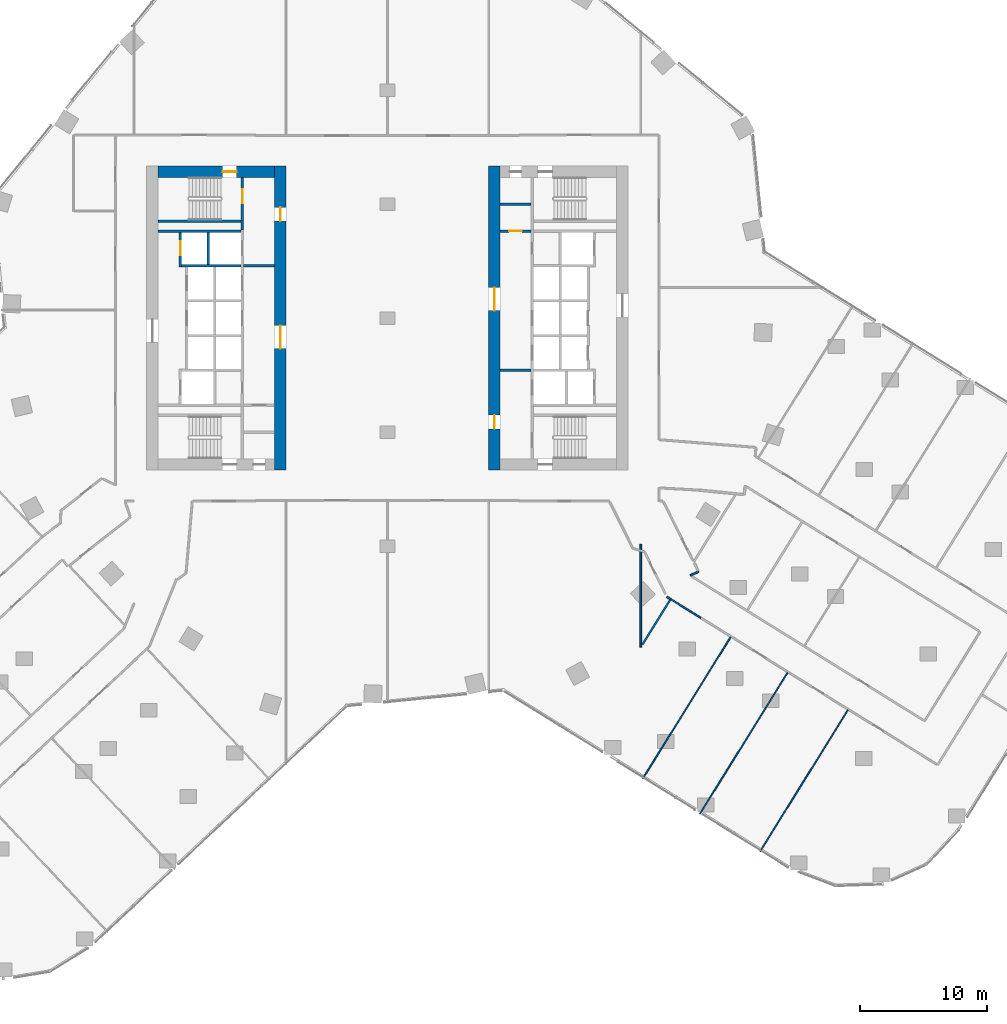
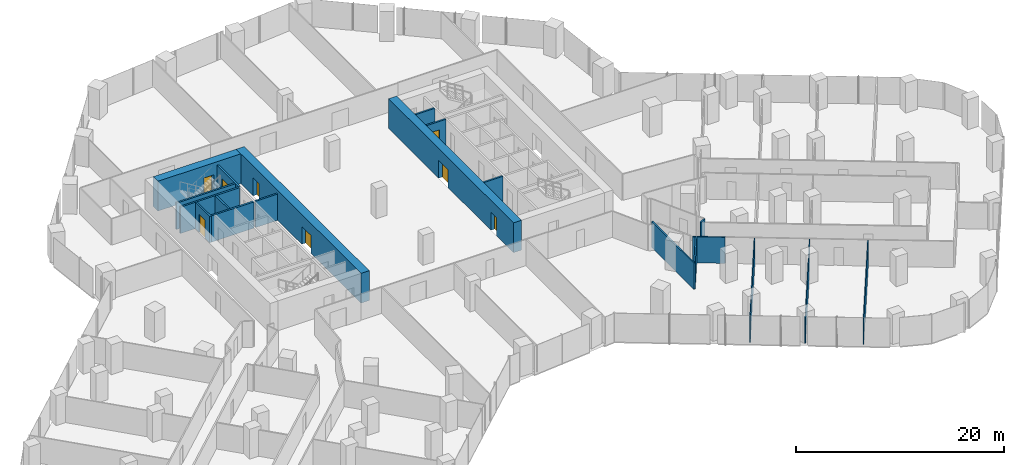
# One storey, part 29 of 34: 21 walls, 8 doors, 8 openings.
"""IFC4 building model written with IfcOpenShell, lengths in metres."""

import ifcopenshell
import ifcopenshell.guid

model = None  # the IFC model being written
_history = None  # IfcOwnerHistory: only IFC2X3 demands one
_inside = {}  # id of a spatial element -> (the spatial element, [elements in it])
_under = {}  # id of a project, library or spatial element -> (it, [spatial elements below it])
_declared = {}  # id of a project -> (the project, [libraries it declares])
_typed = {}  # id of a type object -> (the type object, [elements of that type])
_made_of = {}  # id of a material, layer set ... -> (it, [elements and type objects made of it])


def new_model(schema):
    """Start an empty IFC model of exactly this schema.

    Asked for "IFC4X3", IfcOpenShell would pick the latest addendum, in which some entities
    have other attributes; the version numbers below select the first issue.
    IFC2X3 requires an IfcOwnerHistory on every rooted entity: one is made here for all.
    """
    global model, _history
    if schema == "IFC4X3":
        model = ifcopenshell.file(schema_version=(4, 3, 0, 0))
    else:
        model = ifcopenshell.file(schema=schema)
    _inside.clear()
    _under.clear()
    _declared.clear()
    _typed.clear()
    _made_of.clear()
    _history = None
    if model.schema == "IFC2X3":
        org = make("IfcOrganization", Name="unknown")
        user = make(
            "IfcPersonAndOrganization",
            ThePerson=make("IfcPerson", FamilyName="unknown"),
            TheOrganization=org,
        )
        app = make(
            "IfcApplication",
            ApplicationDeveloper=org,
            Version="unknown",
            ApplicationFullName="unknown",
            ApplicationIdentifier="unknown",
        )
        _history = make(
            "IfcOwnerHistory",
            OwningUser=user,
            OwningApplication=app,
            ChangeAction="ADDED",
            CreationDate=0,
        )
    return model


def make(cls, **values):
    """One entity of the class cls with the attributes given. An attribute that is None is left unset."""
    return model.create_entity(
        cls, **{name: value for name, value in values.items() if value is not None}
    )


def rooted(cls, **values):
    """An entity with a GlobalId (a new one), such as an element, a storey or a relation."""
    return make(cls, GlobalId=ifcopenshell.guid.new(), OwnerHistory=_history, **values)


def si_unit(unit_type, name, prefix=None):
    """IfcSIUnit, for example si_unit("LENGTHUNIT", "METRE", prefix="MILLI")."""
    return make("IfcSIUnit", UnitType=unit_type, Prefix=prefix, Name=name)


def assignment(units):
    """IfcUnitAssignment: the units of a project."""
    return None if units is None else make("IfcUnitAssignment", Units=units)


def point(xyz):
    """IfcCartesianPoint."""
    return None if xyz is None else make("IfcCartesianPoint", Coordinates=xyz)


def direction(xyz):
    """IfcDirection."""
    return None if xyz is None else make("IfcDirection", DirectionRatios=xyz)


def frame(location, z_axis=None, x_axis=None):
    """IfcAxis2Placement3D, a coordinate frame: its origin and axes. An axis left out is left unset."""
    return make(
        "IfcAxis2Placement3D",
        Location=point(location),
        Axis=direction(z_axis),
        RefDirection=direction(x_axis),
    )


def frame_2d(location, x_axis=None):
    """IfcAxis2Placement2D, a coordinate frame in the plane: its origin and x axis."""
    return make(
        "IfcAxis2Placement2D", Location=point(location), RefDirection=direction(x_axis)
    )


def origin():
    """The frame at (0, 0, 0) with its axes left unset."""
    return frame((0.0, 0.0, 0.0))


def place(relative_to, where):
    """IfcLocalPlacement: puts the frame where relative to a parent placement (None: the world)."""
    return make(
        "IfcLocalPlacement", PlacementRelTo=relative_to, RelativePlacement=where
    )


def context(
    kind, dimensions, precision=None, world=None, true_north=None, identifier=None
):
    """IfcGeometricRepresentationContext, for example the 3D "Model" context."""
    return make(
        "IfcGeometricRepresentationContext",
        ContextIdentifier=identifier,
        ContextType=kind,
        CoordinateSpaceDimension=dimensions,
        Precision=precision,
        WorldCoordinateSystem=world,
        TrueNorth=true_north,
    )


def subcontext(parent, identifier, kind, view, scale=None):
    """IfcGeometricRepresentationSubContext, for example "Body" below "Model"."""
    return make(
        "IfcGeometricRepresentationSubContext",
        ContextIdentifier=identifier,
        ContextType=kind,
        ParentContext=parent,
        TargetScale=scale,
        TargetView=view,
    )


def project(units=None, contexts=None):
    """IfcProject with its units and contexts."""
    return rooted(
        "IfcProject",
        Name="project",
        RepresentationContexts=contexts,
        UnitsInContext=assignment(units),
    )


def spatial(cls, under=None, at=None, **own):
    """A site, building, storey or space (cls), placed at a placement, below another one or the project."""
    s = rooted(cls, ObjectPlacement=at, **own)
    if under is not None:
        _under.setdefault(under.id(), (under, []))[1].append(s)
    return s


def profile(cls, at=None, kind="AREA", **sizes):
    """A parametric profile (cls). Its sizes go by their IFC names, for example OverallWidth=200.0."""
    return make(cls, ProfileType=kind, Position=at, **sizes)


def rectangle(**sizes):
    """IfcRectangleProfileDef."""
    return profile("IfcRectangleProfileDef", **sizes)


def extrude(swept, where, along, depth):
    """IfcExtrudedAreaSolid: the profile swept, set in the frame where, extruded along a direction by depth."""
    return make(
        "IfcExtrudedAreaSolid",
        SweptArea=swept,
        Position=where,
        ExtrudedDirection=direction(along),
        Depth=depth,
    )


def shape(context_of_items, identifier, shape_type, items):
    """IfcShapeRepresentation: the items that make up one representation, for example the "Body"."""
    return make(
        "IfcShapeRepresentation",
        ContextOfItems=context_of_items,
        RepresentationIdentifier=identifier,
        RepresentationType=shape_type,
        Items=items,
    )


def material(Name=None, Category=None):
    """IfcMaterial."""
    return make("IfcMaterial", Name=Name, Category=Category)


def layer(
    of_material, thickness, ventilated=None, Name=None, Category=None, Priority=None
):
    """IfcMaterialLayer: one layer of a wall or slab, of a material (None: an air gap)."""
    return make(
        "IfcMaterialLayer",
        Material=of_material,
        LayerThickness=thickness,
        IsVentilated=ventilated,
        Name=Name,
        Category=Category,
        Priority=Priority,
    )


def layer_set(layers, Name=None):
    """IfcMaterialLayerSet."""
    return make("IfcMaterialLayerSet", MaterialLayers=layers, LayerSetName=Name)


def made_of(thing, what):
    """Note that an element or type object is made of a material, layer set ...; save() writes the relation."""
    if what is not None:
        _made_of.setdefault(what.id(), (what, []))[1].append(thing)
    return thing


def type_object(cls, material=None, **own):
    """A type object (cls), such as IfcWallType, which elements share."""
    return made_of(rooted(cls, **own), material)


def element(
    cls,
    number,
    at=None,
    inside=None,
    cuts=None,
    type_object=None,
    material=None,
    context=None,
    identifier="Body",
    shape_type=None,
    held_by="IfcProductDefinitionShape",
    body=None,
    shapes=None,
    **own,
):
    """One element of the class cls, such as IfcWall. Its Tag is "e" and its number.

    at: its placement. inside: the storey or other place that contains it. cuts: it is an
    opening in that element (IfcRelVoidsElement). A single representation is given by context,
    identifier, shape_type and body (its items); several are given by shapes. held_by: the class
    of the entity that holds the representations. save() writes the other relations.
    """
    e = rooted(cls, Tag="e%d" % number, ObjectPlacement=at, **own)
    if body is not None:
        shapes = [shape(context, identifier, shape_type, body)]
    if shapes is not None:
        e.Representation = make(held_by, Representations=shapes)
    if inside is not None:
        _inside.setdefault(inside.id(), (inside, []))[1].append(e)
    if cuts is not None:
        rooted(
            "IfcRelVoidsElement", RelatingBuildingElement=cuts, RelatedOpeningElement=e
        )
    if type_object is not None:
        _typed.setdefault(type_object.id(), (type_object, []))[1].append(e)
    return made_of(e, material)


def fill(opening, filler):
    """IfcRelFillsElement: the door or window that sits in an opening."""
    return rooted(
        "IfcRelFillsElement",
        RelatingOpeningElement=opening,
        RelatedBuildingElement=filler,
    )


def aggregate(whole, parts):
    """IfcRelAggregates: a whole, such as a stair, and the parts it consists of."""
    return rooted("IfcRelAggregates", RelatingObject=whole, RelatedObjects=parts)


def save(model, path):
    """Write the relations noted so far, then the file.

    IfcRelAggregates (storeys below a building ...), IfcRelContainedInSpatialStructure (elements
    in a storey), IfcRelDefinesByType, IfcRelAssociatesMaterial and IfcRelDeclares: one each for
    every whole, place, type object, material and project.
    """
    for whole, parts in _under.values():
        aggregate(whole, parts)
    for where, things in _inside.values():
        rooted(
            "IfcRelContainedInSpatialStructure",
            RelatedElements=things,
            RelatingStructure=where,
        )
    for kind, things in _typed.values():
        rooted("IfcRelDefinesByType", RelatedObjects=things, RelatingType=kind)
    for what, things in _made_of.values():
        rooted("IfcRelAssociatesMaterial", RelatedObjects=things, RelatingMaterial=what)
    for by, libraries in _declared.values():
        rooted("IfcRelDeclares", RelatingContext=by, RelatedDefinitions=libraries)
    model.write(path)


model = new_model("IFC4")

# Units and contexts
model_context = context("Model", 3, precision=1e-05, world=origin(), true_north=direction((0.0, 1.0)))
body_context = subcontext(model_context, "Body", "Model", "MODEL_VIEW")
ifc_project = project(units=[si_unit("LENGTHUNIT", "METRE"), si_unit("AREAUNIT", "SQUARE_METRE"), si_unit("VOLUMEUNIT", "CUBIC_METRE"), si_unit("PLANEANGLEUNIT", "RADIAN"), si_unit("MASSUNIT", "GRAM", prefix="KILO")], contexts=[model_context])

# Site, building, storey
site_placement = place(None, origin())
site = spatial("IfcSite", under=ifc_project, at=site_placement, CompositionType="ELEMENT")
building_placement = place(site_placement, origin())
building = spatial("IfcBuilding", under=site, at=building_placement, Name="Orlundy Tower", CompositionType="ELEMENT")
storey_placement = place(building_placement, frame((0.0, 0.0, 47.800048828125)))
storey = spatial("IfcBuildingStorey", under=building, at=storey_placement, Name="L10", CompositionType="ELEMENT", Elevation=47.800048828125)

# Wall, opening, door
ifc_material_1 = material(Name="Concrete C80/95", Category="concrete")
ifc_layer_1 = layer(ifc_material_1, 0.89990234375)
ifc_layer_set_1 = layer_set([ifc_layer_1], Name="CORE WALL 900 C80/95")
wall_type_1 = type_object("IfcWallType", Name="CORE WALL 900 C80/95", PredefinedType="SHEAR", material=ifc_layer_set_1)
wall_1_placement = place(storey_placement, frame((-18.10009765625, 11.550048828125, 0.0), z_axis=(0.0, 0.0, 1.0), x_axis=(1.0, 0.0, 0.0)))
wall_1 = element("IfcWall", 1, at=wall_1_placement, inside=storey, type_object=wall_type_1, Name="Core wall W-N L10", PredefinedType="SHEAR", context=body_context, shape_type="SweptSolid", body=[
    extrude(rectangle(XDim=9.2001953125, YDim=0.89990234375, at=frame_2d((4.60009765625, 0.0))), origin(), (0.0, 0.0, 1.0), 3.5),
])
opening_1_placement = place(wall_1_placement, frame((5.10009765625, 0.0, 0.0)))
opening_1 = element("IfcOpeningElement", 2, at=opening_1_placement, cuts=wall_1, Name="Opening 09012", PredefinedType="OPENING", context=body_context, shape_type="SweptSolid", body=[
    extrude(rectangle(XDim=1.10009765625, YDim=2.10009765625, at=frame_2d((0.550048828125, 1.050048828125))), frame((0.0, 0.4599609375, 0.0), z_axis=(0.0, -1.0, 0.0), x_axis=(1.0, 0.0, 0.0)), (0.0, 0.0, 1.0), 0.919921875),
])
ifc_material_2 = material(Name="Steel door set", Category="steel")
door_type_1 = type_object("IfcDoorType", Name="Stair Door 1100x2100", OperationType="SINGLE_SWING_LEFT", PredefinedType="DOOR", material=ifc_material_2)
door_1_placement = place(opening_1_placement, origin())
door_1 = element("IfcDoor", 3, at=door_1_placement, inside=storey, type_object=door_type_1, Name="Stair door 09012", OperationType="SINGLE_SWING_RIGHT", OverallHeight=2.10009765625, OverallWidth=1.10009765625, PredefinedType="DOOR", context=body_context, shape_type="SweptSolid", body=[
    extrude(rectangle(XDim=1.10009765625, YDim=2.10009765625, at=frame_2d((0.550048828125, 1.050048828125))), frame((0.0, 0.02490234375, 0.0), z_axis=(0.0, -1.0, 0.0), x_axis=(1.0, 0.0, 0.0)), (0.0, 0.0, 1.0), 0.050048828125),
])
fill(opening_1, door_1)

# Wall, openings, doors
wall_2_placement = place(storey_placement, frame((-8.449951171875, -12.0, 0.0), z_axis=(0.0, 0.0, 1.0), x_axis=(0.0, 1.0, 0.0)))
wall_2 = element("IfcWall", 4, at=wall_2_placement, inside=storey, type_object=wall_type_1, Name="Core wall W-E L10", PredefinedType="SHEAR", context=body_context, shape_type="SweptSolid", body=[
    extrude(rectangle(XDim=24.0, YDim=0.89990234375, at=frame_2d((12.0, 0.0))), origin(), (0.0, 0.0, 1.0), 3.5),
])
opening_2_placement = place(wall_2_placement, frame((9.60009765625, 0.0, 0.0)))
opening_2 = element("IfcOpeningElement", 5, at=opening_2_placement, cuts=wall_2, Name="Opening 09009", PredefinedType="OPENING", context=body_context, shape_type="SweptSolid", body=[
    extrude(rectangle(XDim=1.800048828125, YDim=2.10009765625, at=frame_2d((0.89990234375, 1.050048828125))), frame((0.0, 0.4599609375, 0.0), z_axis=(0.0, -1.0, 0.0), x_axis=(1.0, 0.0, 0.0)), (0.0, 0.0, 1.0), 0.919921875),
])
opening_3_placement = place(wall_2_placement, frame((19.64990234375, 0.0, 0.0)))
opening_3 = element("IfcOpeningElement", 6, at=opening_3_placement, cuts=wall_2, Name="Opening 09011", PredefinedType="OPENING", context=body_context, shape_type="SweptSolid", body=[
    extrude(rectangle(XDim=1.10009765625, YDim=2.10009765625, at=frame_2d((0.550048828125, 1.050048828125))), frame((0.0, 0.4599609375, 0.0), z_axis=(0.0, -1.0, 0.0), x_axis=(1.0, 0.0, 0.0)), (0.0, 0.0, 1.0), 0.919921875),
])
ifc_material_3 = material(Name="Steel door set", Category="steel")
door_type_2 = type_object("IfcDoorType", Name="Fire-fighting Lobby Door 1100x2100", OperationType="SINGLE_SWING_LEFT", PredefinedType="DOOR", material=ifc_material_3)
door_2_placement = place(opening_3_placement, origin())
door_2 = element("IfcDoor", 7, at=door_2_placement, inside=storey, type_object=door_type_2, Name="Fire-fighting lobby door 09011", OperationType="SINGLE_SWING_RIGHT", OverallHeight=2.10009765625, OverallWidth=1.10009765625, PredefinedType="DOOR", context=body_context, shape_type="SweptSolid", body=[
    extrude(rectangle(XDim=1.10009765625, YDim=2.10009765625, at=frame_2d((0.550048828125, 1.050048828125))), frame((0.0, 0.02490234375, 0.0), z_axis=(0.0, -1.0, 0.0), x_axis=(1.0, 0.0, 0.0)), (0.0, 0.0, 1.0), 0.050048828125),
])
fill(opening_3, door_2)
ifc_material_4 = material(Name="Timber door set", Category="wood")
door_type_3 = type_object("IfcDoorType", Name="Lobby Door 1800x2100", OperationType="DOUBLE_DOOR_DOUBLE_SWING", PredefinedType="DOOR", material=ifc_material_4)
door_3_placement = place(opening_2_placement, origin())
door_3 = element("IfcDoor", 8, at=door_3_placement, inside=storey, type_object=door_type_3, Name="Lift lobby door 09009", OperationType="SINGLE_SWING_LEFT", OverallHeight=2.10009765625, OverallWidth=1.800048828125, PredefinedType="DOOR", context=body_context, shape_type="SweptSolid", body=[
    extrude(rectangle(XDim=1.800048828125, YDim=2.10009765625, at=frame_2d((0.89990234375, 1.050048828125))), frame((0.0, 0.02490234375, 0.0), z_axis=(0.0, -1.0, 0.0), x_axis=(1.0, 0.0, 0.0)), (0.0, 0.0, 1.0), 0.050048828125),
])
fill(opening_2, door_3)

wall_3_placement = place(storey_placement, frame((8.449951171875, -12.0, 0.0), z_axis=(0.0, 0.0, 1.0), x_axis=(0.0, 1.0, 0.0)))
wall_3 = element("IfcWall", 9, at=wall_3_placement, inside=storey, type_object=wall_type_1, Name="Core wall E-W L10", PredefinedType="SHEAR", context=body_context, shape_type="SweptSolid", body=[
    extrude(rectangle(XDim=24.0, YDim=0.89990234375, at=frame_2d((12.0, 0.0))), origin(), (0.0, 0.0, 1.0), 3.5),
])
opening_4_placement = place(wall_3_placement, frame((12.60009765625, 0.0, 0.0)))
opening_4 = element("IfcOpeningElement", 10, at=opening_4_placement, cuts=wall_3, Name="Opening 09058", PredefinedType="OPENING", context=body_context, shape_type="SweptSolid", body=[
    extrude(rectangle(XDim=1.800048828125, YDim=2.10009765625, at=frame_2d((0.89990234375, 1.050048828125))), frame((0.0, 0.4599609375, 0.0), z_axis=(0.0, -1.0, 0.0), x_axis=(1.0, 0.0, 0.0)), (0.0, 0.0, 1.0), 0.919921875),
])
opening_5_placement = place(wall_3_placement, frame((3.25, 0.0, 0.0)))
opening_5 = element("IfcOpeningElement", 11, at=opening_5_placement, cuts=wall_3, Name="Opening 09060", PredefinedType="OPENING", context=body_context, shape_type="SweptSolid", body=[
    extrude(rectangle(XDim=1.10009765625, YDim=2.10009765625, at=frame_2d((0.550048828125, 1.050048828125))), frame((0.0, 0.4599609375, 0.0), z_axis=(0.0, -1.0, 0.0), x_axis=(1.0, 0.0, 0.0)), (0.0, 0.0, 1.0), 0.919921875),
])
door_4_placement = place(opening_5_placement, origin())
door_4 = element("IfcDoor", 12, at=door_4_placement, inside=storey, type_object=door_type_2, Name="Fire-fighting lobby door 09060", OperationType="SINGLE_SWING_LEFT", OverallHeight=2.10009765625, OverallWidth=1.10009765625, PredefinedType="DOOR", context=body_context, shape_type="SweptSolid", body=[
    extrude(rectangle(XDim=1.10009765625, YDim=2.10009765625, at=frame_2d((0.550048828125, 1.050048828125))), frame((0.0, 0.02490234375, 0.0), z_axis=(0.0, -1.0, 0.0), x_axis=(1.0, 0.0, 0.0)), (0.0, 0.0, 1.0), 0.050048828125),
])
fill(opening_5, door_4)
door_5_placement = place(opening_4_placement, origin())
door_5 = element("IfcDoor", 13, at=door_5_placement, inside=storey, type_object=door_type_3, Name="Lift lobby door 09058", OperationType="SINGLE_SWING_RIGHT", OverallHeight=2.10009765625, OverallWidth=1.800048828125, PredefinedType="DOOR", context=body_context, shape_type="SweptSolid", body=[
    extrude(rectangle(XDim=1.800048828125, YDim=2.10009765625, at=frame_2d((0.89990234375, 1.050048828125))), frame((0.0, 0.02490234375, 0.0), z_axis=(0.0, -1.0, 0.0), x_axis=(1.0, 0.0, 0.0)), (0.0, 0.0, 1.0), 0.050048828125),
])
fill(opening_4, door_5)

# Walls
ifc_material_5 = material(Name="Gypsum board partition")
ifc_layer_2 = layer(ifc_material_5, 0.10009765625)
ifc_layer_set_2 = layer_set([ifc_layer_2], Name="Floor partition 100")
wall_type_2 = type_object("IfcWallType", Name="Floor partition 100", PredefinedType="PARTITIONING", material=ifc_layer_set_2)
wall_4_placement = place(storey_placement, frame((29.4189453125, -42.09912109375, 0.0), z_axis=(0.0, 0.0, 1.0), x_axis=(0.527437340002, 0.849593933813, 0.0)))
element("IfcWall", 14, at=wall_4_placement, inside=storey, type_object=wall_type_2, Name="wall-int-L10-058", PredefinedType="PARTITIONING", context=body_context, shape_type="SweptSolid", body=[
    extrude(rectangle(XDim=13.136962890625, YDim=0.10009765625, at=frame_2d((6.568359375, 0.0))), origin(), (0.0, 0.0, 1.0), 3.06005859375),
])
wall_5_placement = place(storey_placement, frame((24.662109375, -39.14599609375, 0.0), z_axis=(0.0, 0.0, 1.0), x_axis=(0.527445667816, 0.849588763757, 0.0)))
element("IfcWall", 15, at=wall_5_placement, inside=storey, type_object=wall_type_2, Name="wall-int-L10-060", PredefinedType="PARTITIONING", context=body_context, shape_type="SweptSolid", body=[
    extrude(rectangle(XDim=13.13671875, YDim=0.10009765625, at=frame_2d((6.568359375, 0.0))), origin(), (0.0, 0.0, 1.0), 3.06005859375),
])
wall_6_placement = place(storey_placement, frame((20.158935546875, -36.35009765625, 0.0), z_axis=(0.0, 0.0, 1.0), x_axis=(0.527437340002, 0.849593933813, 0.0)))
element("IfcWall", 16, at=wall_6_placement, inside=storey, type_object=wall_type_2, Name="wall-int-L10-063", PredefinedType="PARTITIONING", context=body_context, shape_type="SweptSolid", body=[
    extrude(rectangle(XDim=13.136962890625, YDim=0.10009765625, at=frame_2d((6.568359375, 0.0))), origin(), (0.0, 0.0, 1.0), 3.06005859375),
])
ifc_material_6 = material(Name="Gypsum board partition, double layer")
ifc_layer_3 = layer(ifc_material_6, 0.125)
ifc_layer_set_3 = layer_set([ifc_layer_3], Name="Floor partition 125")
wall_type_3 = type_object("IfcWallType", Name="Floor partition 125", PredefinedType="PARTITIONING", material=ifc_layer_set_3)
wall_7_placement = place(storey_placement, frame((22.424072265625, -22.218994140625, 0.0), z_axis=(0.0, 0.0, 1.0), x_axis=(0.849454635984, -0.527661654287, 0.0)))
element("IfcWall", 17, at=wall_7_placement, inside=storey, type_object=wall_type_3, Name="wall-int-L10-019", PredefinedType="PARTITIONING", context=body_context, shape_type="SweptSolid", body=[
    extrude(rectangle(XDim=2.72509765625, YDim=0.125, at=frame_2d((1.362548828125, 0.0))), origin(), (0.0, 0.0, 1.0), 3.06005859375),
])
ifc_material_7 = material(Name="Blockwork shaft wall", Category="masonry")
ifc_layer_4 = layer(ifc_material_7, 0.14990234375)
ifc_layer_set_4 = layer_set([ifc_layer_4], Name="Floor shaft wall 150")
wall_type_4 = type_object("IfcWallType", Name="Floor shaft wall 150", PredefinedType="PARTITIONING", material=ifc_layer_set_4)
wall_8_placement = place(storey_placement, frame((22.069091796875, -22.0, 0.0), z_axis=(0.0, 0.0, 1.0), x_axis=(0.850050687586, -0.526700890956, 0.0)))
element("IfcWall", 18, at=wall_8_placement, inside=storey, type_object=wall_type_4, Name="wall-int-L10-020", PredefinedType="PARTITIONING", context=body_context, shape_type="SweptSolid", body=[
    extrude(rectangle(XDim=0.33984375, YDim=0.14990234375, at=frame_2d((0.169921875, 0.0))), origin(), (0.0, 0.0, 1.0), 3.06005859375),
])
wall_9_placement = place(storey_placement, frame((23.9140625, -20.319091796875, 0.0), z_axis=(0.0, 0.0, 1.0), x_axis=(0.894967710853, 0.4461309186, 0.0)))
element("IfcWall", 19, at=wall_9_placement, inside=storey, type_object=wall_type_4, Name="wall-int-L10-044", PredefinedType="PARTITIONING", context=body_context, shape_type="SweptSolid", body=[
    extrude(rectangle(XDim=0.721923828125, YDim=0.14990234375, at=frame_2d((0.36083984375, 0.0))), origin(), (0.0, 0.0, 1.0), 3.06005859375),
])
wall_10_placement = place(storey_placement, frame((20.132080078125, -25.764892578125, 0.0), z_axis=(0.0, 0.0, 1.0), x_axis=(0.527375821056, 0.849632122372, 0.0)))
element("IfcWall", 20, at=wall_10_placement, inside=storey, type_object=wall_type_4, Name="wall-int-L10-066", PredefinedType="PARTITIONING", context=body_context, shape_type="SweptSolid", body=[
    extrude(rectangle(XDim=4.220458984375, YDim=0.14990234375, at=frame_2d((2.1103515625, 0.0))), origin(), (0.0, 0.0, 1.0), 3.06005859375),
])
wall_11_placement = place(storey_placement, frame((20.0, -25.97705078125, 0.0), z_axis=(0.0, 0.0, 1.0), x_axis=(0.0, 1.0, 0.0)))
element("IfcWall", 21, at=wall_11_placement, inside=storey, type_object=wall_type_4, Name="wall-int-L10-076", PredefinedType="PARTITIONING", context=body_context, shape_type="SweptSolid", body=[
    extrude(rectangle(XDim=8.112060546875, YDim=0.14990234375, at=frame_2d((4.05615234375, 0.0))), origin(), (0.0, 0.0, 1.0), 3.06005859375),
])

# Wall, opening, door
ifc_material_8 = material(Name="Concrete C40/50", Category="concrete")
ifc_layer_5 = layer(ifc_material_8, 0.199951171875)
ifc_layer_set_5 = layer_set([ifc_layer_5], Name="Load-bearing Shaft Wall 200")
wall_type_5 = type_object("IfcWallType", Name="Load-bearing Shaft Wall 200", PredefinedType="SOLIDWALL", material=ifc_layer_set_5)
wall_12_placement = place(storey_placement, frame((-11.43994140625, 6.97509765625, 0.0), z_axis=(0.0, 0.0, 1.0), x_axis=(0.0, 1.0, 0.0)))
wall_12 = element("IfcWall", 22, at=wall_12_placement, inside=storey, type_object=wall_type_5, Name="Shaft wall W09-stair-end-n", PredefinedType="SOLIDWALL", context=body_context, shape_type="SweptSolid", body=[
    extrude(rectangle(XDim=4.125, YDim=0.199951171875, at=frame_2d((2.0625, 0.0))), origin(), (0.0, 0.0, 1.0), 3.079833984375),
])
opening_6_placement = place(wall_12_placement, frame((2.10009765625, 0.0, 0.0)))
opening_6 = element("IfcOpeningElement", 23, at=opening_6_placement, cuts=wall_12, Name="Opening 09014", PredefinedType="OPENING", context=body_context, shape_type="SweptSolid", body=[
    extrude(rectangle(XDim=1.10009765625, YDim=2.10009765625, at=frame_2d((0.550048828125, 1.050048828125))), frame((0.0, 0.110107421875, 0.0), z_axis=(0.0, -1.0, 0.0), x_axis=(1.0, 0.0, 0.0)), (0.0, 0.0, 1.0), 0.22021484375),
])
door_6_placement = place(opening_6_placement, origin())
door_6 = element("IfcDoor", 24, at=door_6_placement, inside=storey, type_object=door_type_2, Name="Fire-fighting lobby to stair door 09014", OperationType="SINGLE_SWING_RIGHT", OverallHeight=2.10009765625, OverallWidth=1.10009765625, PredefinedType="DOOR", context=body_context, shape_type="SweptSolid", body=[
    extrude(rectangle(XDim=1.10009765625, YDim=2.10009765625, at=frame_2d((0.550048828125, 1.050048828125))), frame((0.0, 0.02490234375, 0.0), z_axis=(0.0, -1.0, 0.0), x_axis=(1.0, 0.0, 0.0)), (0.0, 0.0, 1.0), 0.050048828125),
])
fill(opening_6, door_6)

# Walls
wall_13_placement = place(storey_placement, frame((-11.5400390625, 7.64990234375, 0.0), z_axis=(0.0, 0.0, 1.0), x_axis=(-1.0, 0.0, 0.0)))
element("IfcWall", 25, at=wall_13_placement, inside=storey, type_object=wall_type_5, Name="Shaft wall W09-stair-side-n", PredefinedType="SOLIDWALL", context=body_context, shape_type="SweptSolid", body=[
    extrude(rectangle(XDim=6.56005859375, YDim=0.199951171875, at=frame_2d((3.280029296875, 0.0))), origin(), (0.0, 0.0, 1.0), 3.079833984375),
])
ifc_material_9 = material(Name="Gypsum board partition on steel studs", Category="steel")
ifc_layer_6 = layer(ifc_material_9, 0.199951171875)
ifc_layer_set_6 = layer_set([ifc_layer_6], Name="Partition 200")
wall_type_6 = type_object("IfcWallType", Name="Partition 200", PredefinedType="PARTITIONING", material=ifc_layer_set_6)
for number, where, z_axis, x_axis, name in (
    (26, (-8.89990234375, 4.125, 0.0), (0.0, 0.0, 1.0), (-1.0, 0.0, 0.0), "Partition wall W09-lobby-n"),
    (27, (8.89990234375, -4.125, 0.0), (0.0, 0.0, 1.0), (1.0, 0.0, 0.0), "Partition wall E09-lobby-n"),
):
    element("IfcWall", number, at=place(storey_placement, frame(where, z_axis=z_axis, x_axis=x_axis)), inside=storey, type_object=wall_type_6, Name=name, PredefinedType="PARTITIONING", context=body_context, shape_type="SweptSolid", body=[
        extrude(rectangle(XDim=2.440185546875, YDim=0.199951171875, at=frame_2d((1.22021484375, 0.0))), origin(), (0.0, 0.0, 1.0), 3.079833984375),
    ])

# Wall, opening, door
wall_14_placement = place(storey_placement, frame((8.89990234375, 6.875, 0.0), z_axis=(0.0, 0.0, 1.0), x_axis=(1.0, 0.0, 0.0)))
wall_14 = element("IfcWall", 28, at=wall_14_placement, inside=storey, type_object=wall_type_6, Name="Partition wall E09-end-s", PredefinedType="PARTITIONING", context=body_context, shape_type="SweptSolid", body=[
    extrude(rectangle(XDim=2.440185546875, YDim=0.199951171875, at=frame_2d((1.22021484375, 0.0))), origin(), (0.0, 0.0, 1.0), 3.079833984375),
])
opening_7_placement = place(wall_14_placement, frame((0.719970703125, 0.0, 0.0)))
opening_7 = element("IfcOpeningElement", 29, at=opening_7_placement, cuts=wall_14, Name="Opening 09065", PredefinedType="OPENING", context=body_context, shape_type="SweptSolid", body=[
    extrude(rectangle(XDim=1.0, YDim=2.10009765625, at=frame_2d((0.5, 1.050048828125))), frame((0.0, 0.110107421875, 0.0), z_axis=(0.0, -1.0, 0.0), x_axis=(1.0, 0.0, 0.0)), (0.0, 0.0, 1.0), 0.22021484375),
])
ifc_material_10 = material(Name="Timber door set", Category="wood")
door_type_4 = type_object("IfcDoorType", Name="Accessible Door 1000x2100", OperationType="SINGLE_SWING_LEFT", PredefinedType="DOOR", material=ifc_material_10)
door_7_placement = place(opening_7_placement, origin())
door_7 = element("IfcDoor", 30, at=door_7_placement, inside=storey, type_object=door_type_4, Name="Accessible WC door 09065", OperationType="SINGLE_SWING_RIGHT", OverallHeight=2.10009765625, OverallWidth=1.0, PredefinedType="DOOR", context=body_context, shape_type="SweptSolid", body=[
    extrude(rectangle(XDim=1.0, YDim=2.10009765625, at=frame_2d((0.5, 1.050048828125))), frame((0.0, 0.02490234375, 0.0), z_axis=(0.0, -1.0, 0.0), x_axis=(1.0, 0.0, 0.0)), (0.0, 0.0, 1.0), 0.050048828125),
])
fill(opening_7, door_7)

# Walls
wall_15_placement = place(storey_placement, frame((8.89990234375, 9.0, 0.0), z_axis=(0.0, 0.0, 1.0), x_axis=(1.0, 0.0, 0.0)))
element("IfcWall", 31, at=wall_15_placement, inside=storey, type_object=wall_type_6, Name="Partition wall E09-room-s0", PredefinedType="PARTITIONING", context=body_context, shape_type="SweptSolid", body=[
    extrude(rectangle(XDim=2.440185546875, YDim=0.199951171875, at=frame_2d((1.22021484375, 0.0))), origin(), (0.0, 0.0, 1.0), 3.079833984375),
])
ifc_material_11 = material(Name="Fire-rated blockwork shaft wall", Category="masonry")
ifc_layer_7 = layer(ifc_material_11, 0.199951171875)
ifc_layer_set_7 = layer_set([ifc_layer_7], Name="Shaft Wall 200")
wall_type_7 = type_object("IfcWallType", Name="Shaft Wall 200", PredefinedType="SOLIDWALL", material=ifc_layer_set_7)
wall_16_placement = place(storey_placement, frame((-11.5400390625, 6.875, 0.0), z_axis=(0.0, 0.0, 1.0), x_axis=(-1.0, 0.0, 0.0)))
element("IfcWall", 32, at=wall_16_placement, inside=storey, type_object=wall_type_7, Name="Shaft wall W09-zone-n", PredefinedType="SOLIDWALL", context=body_context, shape_type="SweptSolid", body=[
    extrude(rectangle(XDim=6.56005859375, YDim=0.199951171875, at=frame_2d((3.280029296875, 0.0))), origin(), (0.0, 0.0, 1.0), 3.079833984375),
])
wall_17_placement = place(storey_placement, frame((-11.5400390625, 4.125, 0.0), z_axis=(0.0, 0.0, 1.0), x_axis=(-1.0, 0.0, 0.0)))
element("IfcWall", 33, at=wall_17_placement, inside=storey, type_object=wall_type_7, Name="Shaft wall W09-cross+4.125", PredefinedType="SOLIDWALL", context=body_context, shape_type="SweptSolid", body=[
    extrude(rectangle(XDim=4.699951171875, YDim=0.199951171875, at=frame_2d((2.35009765625, 0.0))), origin(), (0.0, 0.0, 1.0), 3.079833984375),
])
wall_18_placement = place(storey_placement, frame((-14.139892578125, 4.22509765625, 0.0), z_axis=(0.0, 0.0, 1.0), x_axis=(0.0, 1.0, 0.0)))
element("IfcWall", 34, at=wall_18_placement, inside=storey, type_object=wall_type_7, Name="Shaft wall W09-mid-b", PredefinedType="SOLIDWALL", context=body_context, shape_type="SweptSolid", body=[
    extrude(rectangle(XDim=2.5498046875, YDim=0.199951171875, at=frame_2d((1.27490234375, 0.0))), origin(), (0.0, 0.0, 1.0), 3.079833984375),
])

# Wall, opening, door
wall_19_placement = place(storey_placement, frame((-16.340087890625, 4.02490234375, 0.0), z_axis=(0.0, 0.0, 1.0), x_axis=(0.0, 1.0, 0.0)))
wall_19 = element("IfcWall", 35, at=wall_19_placement, inside=storey, type_object=wall_type_7, Name="Shaft wall W09-front-o-c", PredefinedType="SOLIDWALL", context=body_context, shape_type="SweptSolid", body=[
    extrude(rectangle(XDim=2.75, YDim=0.199951171875, at=frame_2d((1.375, 0.0))), origin(), (0.0, 0.0, 1.0), 3.079833984375),
])
opening_8_placement = place(wall_19_placement, frame((0.925048828125, 0.0, 0.0)))
opening_8 = element("IfcOpeningElement", 36, at=opening_8_placement, cuts=wall_19, Name="Opening 09007", PredefinedType="OPENING", context=body_context, shape_type="SweptSolid", body=[
    extrude(rectangle(XDim=1.10009765625, YDim=2.10009765625, at=frame_2d((0.550048828125, 1.050048828125))), frame((0.0, 0.110107421875, 0.0), z_axis=(0.0, -1.0, 0.0), x_axis=(1.0, 0.0, 0.0)), (0.0, 0.0, 1.0), 0.22021484375),
])
ifc_material_12 = material(Name="Steel door set", Category="steel")
door_type_5 = type_object("IfcDoorType", Name="Landing Door 1100x2100", OperationType="DOUBLE_DOOR_SLIDING", PredefinedType="DOOR", material=ifc_material_12)
door_8_placement = place(opening_8_placement, origin())
door_8 = element("IfcDoor", 37, at=door_8_placement, inside=storey, type_object=door_type_5, Name="Lift landing door LP-04 09007", OperationType="DOUBLE_DOOR_SLIDING", OverallHeight=2.10009765625, OverallWidth=1.10009765625, PredefinedType="DOOR", context=body_context, shape_type="SweptSolid", body=[
    extrude(rectangle(XDim=1.10009765625, YDim=2.10009765625, at=frame_2d((0.550048828125, 1.050048828125))), frame((0.0, 0.02490234375, 0.0), z_axis=(0.0, -1.0, 0.0), x_axis=(1.0, 0.0, 0.0)), (0.0, 0.0, 1.0), 0.050048828125),
])
fill(opening_8, door_8)

save(model, "model.ifc")
